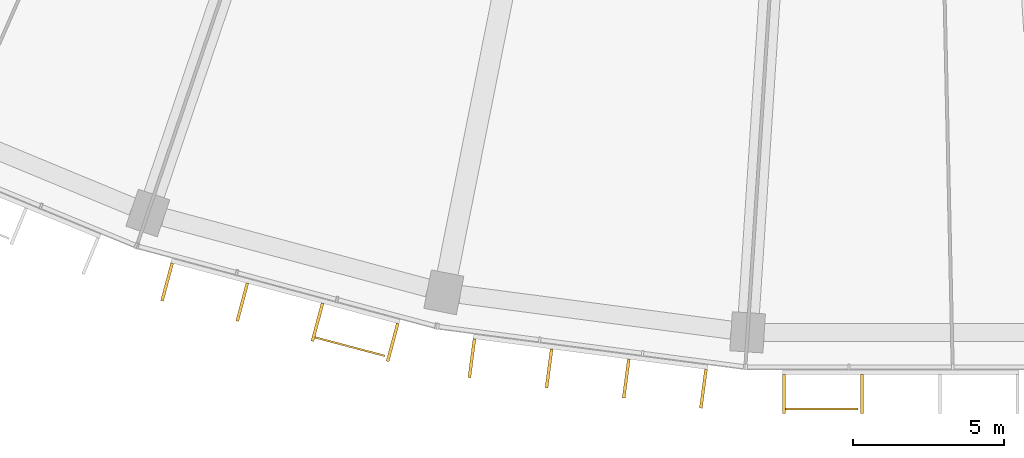
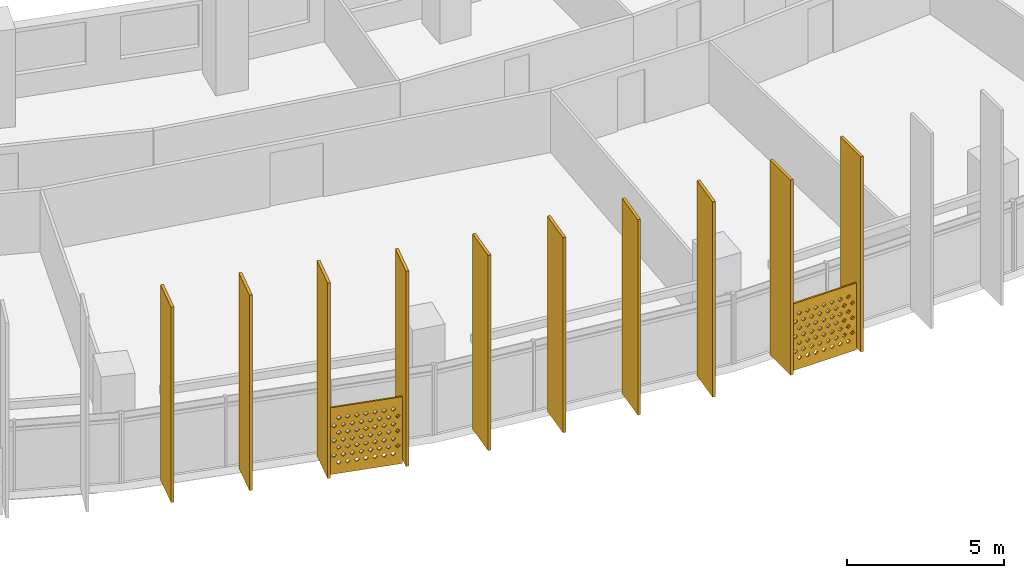
# One storey, part 23 of 27: 12 shading devices.
"""IFC4 building model written with IfcOpenShell, lengths in metres."""

import ifcopenshell
import ifcopenshell.guid

model = None  # the IFC model being written
_history = None  # IfcOwnerHistory: only IFC2X3 demands one
_inside = {}  # id of a spatial element -> (the spatial element, [elements in it])
_under = {}  # id of a project, library or spatial element -> (it, [spatial elements below it])
_declared = {}  # id of a project -> (the project, [libraries it declares])
_typed = {}  # id of a type object -> (the type object, [elements of that type])
_made_of = {}  # id of a material, layer set ... -> (it, [elements and type objects made of it])


def new_model(schema):
    """Start an empty IFC model of exactly this schema.

    Asked for "IFC4X3", IfcOpenShell would pick the latest addendum, in which some entities
    have other attributes; the version numbers below select the first issue.
    IFC2X3 requires an IfcOwnerHistory on every rooted entity: one is made here for all.
    """
    global model, _history
    if schema == "IFC4X3":
        model = ifcopenshell.file(schema_version=(4, 3, 0, 0))
    else:
        model = ifcopenshell.file(schema=schema)
    _inside.clear()
    _under.clear()
    _declared.clear()
    _typed.clear()
    _made_of.clear()
    _history = None
    if model.schema == "IFC2X3":
        org = make("IfcOrganization", Name="unknown")
        user = make(
            "IfcPersonAndOrganization",
            ThePerson=make("IfcPerson", FamilyName="unknown"),
            TheOrganization=org,
        )
        app = make(
            "IfcApplication",
            ApplicationDeveloper=org,
            Version="unknown",
            ApplicationFullName="unknown",
            ApplicationIdentifier="unknown",
        )
        _history = make(
            "IfcOwnerHistory",
            OwningUser=user,
            OwningApplication=app,
            ChangeAction="ADDED",
            CreationDate=0,
        )
    return model


def make(cls, **values):
    """One entity of the class cls with the attributes given. An attribute that is None is left unset."""
    return model.create_entity(
        cls, **{name: value for name, value in values.items() if value is not None}
    )


def rooted(cls, **values):
    """An entity with a GlobalId (a new one), such as an element, a storey or a relation."""
    return make(cls, GlobalId=ifcopenshell.guid.new(), OwnerHistory=_history, **values)


def si_unit(unit_type, name, prefix=None):
    """IfcSIUnit, for example si_unit("LENGTHUNIT", "METRE", prefix="MILLI")."""
    return make("IfcSIUnit", UnitType=unit_type, Prefix=prefix, Name=name)


def assignment(units):
    """IfcUnitAssignment: the units of a project."""
    return None if units is None else make("IfcUnitAssignment", Units=units)


def point(xyz):
    """IfcCartesianPoint."""
    return None if xyz is None else make("IfcCartesianPoint", Coordinates=xyz)


def direction(xyz):
    """IfcDirection."""
    return None if xyz is None else make("IfcDirection", DirectionRatios=xyz)


def frame(location, z_axis=None, x_axis=None):
    """IfcAxis2Placement3D, a coordinate frame: its origin and axes. An axis left out is left unset."""
    return make(
        "IfcAxis2Placement3D",
        Location=point(location),
        Axis=direction(z_axis),
        RefDirection=direction(x_axis),
    )


def frame_2d(location, x_axis=None):
    """IfcAxis2Placement2D, a coordinate frame in the plane: its origin and x axis."""
    return make(
        "IfcAxis2Placement2D", Location=point(location), RefDirection=direction(x_axis)
    )


def origin():
    """The frame at (0, 0, 0) with its axes left unset."""
    return frame((0.0, 0.0, 0.0))


def origin_2d():
    """The frame at (0, 0) in the plane with its x axis left unset."""
    return frame_2d((0.0, 0.0))


def place(relative_to, where):
    """IfcLocalPlacement: puts the frame where relative to a parent placement (None: the world)."""
    return make(
        "IfcLocalPlacement", PlacementRelTo=relative_to, RelativePlacement=where
    )


def context(
    kind, dimensions, precision=None, world=None, true_north=None, identifier=None
):
    """IfcGeometricRepresentationContext, for example the 3D "Model" context."""
    return make(
        "IfcGeometricRepresentationContext",
        ContextIdentifier=identifier,
        ContextType=kind,
        CoordinateSpaceDimension=dimensions,
        Precision=precision,
        WorldCoordinateSystem=world,
        TrueNorth=true_north,
    )


def subcontext(parent, identifier, kind, view, scale=None):
    """IfcGeometricRepresentationSubContext, for example "Body" below "Model"."""
    return make(
        "IfcGeometricRepresentationSubContext",
        ContextIdentifier=identifier,
        ContextType=kind,
        ParentContext=parent,
        TargetScale=scale,
        TargetView=view,
    )


def project(units=None, contexts=None):
    """IfcProject with its units and contexts."""
    return rooted(
        "IfcProject",
        Name="project",
        RepresentationContexts=contexts,
        UnitsInContext=assignment(units),
    )


def spatial(cls, under=None, at=None, **own):
    """A site, building, storey or space (cls), placed at a placement, below another one or the project."""
    s = rooted(cls, ObjectPlacement=at, **own)
    if under is not None:
        _under.setdefault(under.id(), (under, []))[1].append(s)
    return s


def polyline(points):
    """IfcPolyline through the points."""
    return make("IfcPolyline", Points=[point(p) for p in points])


def profile(cls, at=None, kind="AREA", **sizes):
    """A parametric profile (cls). Its sizes go by their IFC names, for example OverallWidth=200.0."""
    return make(cls, ProfileType=kind, Position=at, **sizes)


def rectangle(**sizes):
    """IfcRectangleProfileDef."""
    return profile("IfcRectangleProfileDef", **sizes)


def outline(outer, holes=None, kind="AREA"):
    """IfcArbitraryClosedProfileDef: a profile drawn as a closed curve; with holes, ...WithVoids."""
    if holes is None:
        return make("IfcArbitraryClosedProfileDef", ProfileType=kind, OuterCurve=outer)
    return make(
        "IfcArbitraryProfileDefWithVoids",
        ProfileType=kind,
        OuterCurve=outer,
        InnerCurves=holes,
    )


def extrude(swept, where, along, depth):
    """IfcExtrudedAreaSolid: the profile swept, set in the frame where, extruded along a direction by depth."""
    return make(
        "IfcExtrudedAreaSolid",
        SweptArea=swept,
        Position=where,
        ExtrudedDirection=direction(along),
        Depth=depth,
    )


def shape(context_of_items, identifier, shape_type, items):
    """IfcShapeRepresentation: the items that make up one representation, for example the "Body"."""
    return make(
        "IfcShapeRepresentation",
        ContextOfItems=context_of_items,
        RepresentationIdentifier=identifier,
        RepresentationType=shape_type,
        Items=items,
    )


def material(Name=None, Category=None):
    """IfcMaterial."""
    return make("IfcMaterial", Name=Name, Category=Category)


def material_profile(
    of_material, cross_section, Name=None, Category=None, Priority=None
):
    """IfcMaterialProfile: a cross section and its material."""
    return make(
        "IfcMaterialProfile",
        Name=Name,
        Material=of_material,
        Profile=cross_section,
        Priority=Priority,
        Category=Category,
    )


def profile_set(profiles, Name=None, composite=None):
    """IfcMaterialProfileSet."""
    return make(
        "IfcMaterialProfileSet",
        Name=Name,
        MaterialProfiles=profiles,
        CompositeProfile=composite,
    )


def made_of(thing, what):
    """Note that an element or type object is made of a material, layer set ...; save() writes the relation."""
    if what is not None:
        _made_of.setdefault(what.id(), (what, []))[1].append(thing)
    return thing


def type_object(cls, material=None, **own):
    """A type object (cls), such as IfcWallType, which elements share."""
    return made_of(rooted(cls, **own), material)


def element(
    cls,
    number,
    at=None,
    inside=None,
    cuts=None,
    type_object=None,
    material=None,
    context=None,
    identifier="Body",
    shape_type=None,
    held_by="IfcProductDefinitionShape",
    body=None,
    shapes=None,
    **own,
):
    """One element of the class cls, such as IfcWall. Its Tag is "e" and its number.

    at: its placement. inside: the storey or other place that contains it. cuts: it is an
    opening in that element (IfcRelVoidsElement). A single representation is given by context,
    identifier, shape_type and body (its items); several are given by shapes. held_by: the class
    of the entity that holds the representations. save() writes the other relations.
    """
    e = rooted(cls, Tag="e%d" % number, ObjectPlacement=at, **own)
    if body is not None:
        shapes = [shape(context, identifier, shape_type, body)]
    if shapes is not None:
        e.Representation = make(held_by, Representations=shapes)
    if inside is not None:
        _inside.setdefault(inside.id(), (inside, []))[1].append(e)
    if cuts is not None:
        rooted(
            "IfcRelVoidsElement", RelatingBuildingElement=cuts, RelatedOpeningElement=e
        )
    if type_object is not None:
        _typed.setdefault(type_object.id(), (type_object, []))[1].append(e)
    return made_of(e, material)


def aggregate(whole, parts):
    """IfcRelAggregates: a whole, such as a stair, and the parts it consists of."""
    return rooted("IfcRelAggregates", RelatingObject=whole, RelatedObjects=parts)


def save(model, path):
    """Write the relations noted so far, then the file.

    IfcRelAggregates (storeys below a building ...), IfcRelContainedInSpatialStructure (elements
    in a storey), IfcRelDefinesByType, IfcRelAssociatesMaterial and IfcRelDeclares: one each for
    every whole, place, type object, material and project.
    """
    for whole, parts in _under.values():
        aggregate(whole, parts)
    for where, things in _inside.values():
        rooted(
            "IfcRelContainedInSpatialStructure",
            RelatedElements=things,
            RelatingStructure=where,
        )
    for kind, things in _typed.values():
        rooted("IfcRelDefinesByType", RelatedObjects=things, RelatingType=kind)
    for what, things in _made_of.values():
        rooted("IfcRelAssociatesMaterial", RelatedObjects=things, RelatingMaterial=what)
    for by, libraries in _declared.values():
        rooted("IfcRelDeclares", RelatingContext=by, RelatedDefinitions=libraries)
    model.write(path)


model = new_model("IFC4")

# Units and contexts
model_context = context("Model", 3, precision=1e-05, world=origin(), true_north=direction((0.0, 1.0)))
body_context = subcontext(model_context, "Body", "Model", "MODEL_VIEW")
ifc_project = project(units=[si_unit("LENGTHUNIT", "METRE"), si_unit("AREAUNIT", "SQUARE_METRE"), si_unit("VOLUMEUNIT", "CUBIC_METRE"), si_unit("PLANEANGLEUNIT", "RADIAN"), si_unit("MASSUNIT", "GRAM", prefix="KILO")], contexts=[model_context])

# Site, building, storey
site_placement = place(None, origin())
site = spatial("IfcSite", under=ifc_project, at=site_placement, CompositionType="ELEMENT")
building_placement = place(site_placement, origin())
building = spatial("IfcBuilding", under=site, at=building_placement, Name="Qamariyya Broadcast Tower", CompositionType="ELEMENT")
storey_placement = place(building_placement, frame((0.0, 0.0, 172.10009765625)))
storey = spatial("IfcBuildingStorey", under=building, at=storey_placement, Name="L40", CompositionType="ELEMENT", Elevation=172.10009765625)

# Shading devices
ifc_material_1 = material(Name="Perforated glazed terracotta", Category="masonry")
ifc_material_profile_1 = material_profile(ifc_material_1, outline(polyline([(-1.199951171875, -1.300048828125), (1.199951171875, -1.300048828125), (1.199951171875, 1.300048828125), (-1.199951171875, 1.300048828125), (-1.199951171875, -1.300048828125)]), holes=[polyline([(-0.81494140625, -0.86669921875), (-0.89990234375, -0.78173828125), (-0.985107421875, -0.86669921875), (-0.89990234375, -0.95166015625), (-0.81494140625, -0.86669921875)]), polyline([(-0.514892578125, -0.86669921875), (-0.60009765625, -0.78173828125), (-0.68505859375, -0.86669921875), (-0.60009765625, -0.95166015625), (-0.514892578125, -0.86669921875)]), polyline([(-0.215087890625, -0.86669921875), (-0.300048828125, -0.78173828125), (-0.385009765625, -0.86669921875), (-0.300048828125, -0.95166015625), (-0.215087890625, -0.86669921875)]), polyline([(0.0849609375, -0.86669921875), (0.0, -0.78173828125), (-0.0849609375, -0.86669921875), (0.0, -0.95166015625), (0.0849609375, -0.86669921875)]), polyline([(0.385009765625, -0.86669921875), (0.300048828125, -0.78173828125), (0.215087890625, -0.86669921875), (0.300048828125, -0.95166015625), (0.385009765625, -0.86669921875)]), polyline([(0.68505859375, -0.86669921875), (0.60009765625, -0.78173828125), (0.514892578125, -0.86669921875), (0.60009765625, -0.95166015625), (0.68505859375, -0.86669921875)]), polyline([(0.985107421875, -0.86669921875), (0.89990234375, -0.78173828125), (0.81494140625, -0.86669921875), (0.89990234375, -0.95166015625), (0.985107421875, -0.86669921875)]), polyline([(-0.965087890625, -0.577880859375), (-1.050048828125, -0.49267578125), (-1.135009765625, -0.577880859375), (-1.050048828125, -0.662841796875), (-0.965087890625, -0.577880859375)]), polyline([(-0.6650390625, -0.577880859375), (-0.75, -0.49267578125), (-0.8349609375, -0.577880859375), (-0.75, -0.662841796875), (-0.6650390625, -0.577880859375)]), polyline([(-0.364990234375, -0.577880859375), (-0.449951171875, -0.49267578125), (-0.534912109375, -0.577880859375), (-0.449951171875, -0.662841796875), (-0.364990234375, -0.577880859375)]), polyline([(-0.06494140625, -0.577880859375), (-0.14990234375, -0.49267578125), (-0.235107421875, -0.577880859375), (-0.14990234375, -0.662841796875), (-0.06494140625, -0.577880859375)]), polyline([(0.235107421875, -0.577880859375), (0.14990234375, -0.49267578125), (0.06494140625, -0.577880859375), (0.14990234375, -0.662841796875), (0.235107421875, -0.577880859375)]), polyline([(0.534912109375, -0.577880859375), (0.449951171875, -0.49267578125), (0.364990234375, -0.577880859375), (0.449951171875, -0.662841796875), (0.534912109375, -0.577880859375)]), polyline([(0.8349609375, -0.577880859375), (0.75, -0.49267578125), (0.6650390625, -0.577880859375), (0.75, -0.662841796875), (0.8349609375, -0.577880859375)]), polyline([(1.135009765625, -0.577880859375), (1.050048828125, -0.49267578125), (0.965087890625, -0.577880859375), (1.050048828125, -0.662841796875), (1.135009765625, -0.577880859375)]), polyline([(-0.81494140625, -0.288818359375), (-0.89990234375, -0.203857421875), (-0.985107421875, -0.288818359375), (-0.89990234375, -0.373779296875), (-0.81494140625, -0.288818359375)]), polyline([(-0.514892578125, -0.288818359375), (-0.60009765625, -0.203857421875), (-0.68505859375, -0.288818359375), (-0.60009765625, -0.373779296875), (-0.514892578125, -0.288818359375)]), polyline([(-0.215087890625, -0.288818359375), (-0.300048828125, -0.203857421875), (-0.385009765625, -0.288818359375), (-0.300048828125, -0.373779296875), (-0.215087890625, -0.288818359375)]), polyline([(0.0849609375, -0.288818359375), (0.0, -0.203857421875), (-0.0849609375, -0.288818359375), (0.0, -0.373779296875), (0.0849609375, -0.288818359375)]), polyline([(0.385009765625, -0.288818359375), (0.300048828125, -0.203857421875), (0.215087890625, -0.288818359375), (0.300048828125, -0.373779296875), (0.385009765625, -0.288818359375)]), polyline([(0.68505859375, -0.288818359375), (0.60009765625, -0.203857421875), (0.514892578125, -0.288818359375), (0.60009765625, -0.373779296875), (0.68505859375, -0.288818359375)]), polyline([(0.985107421875, -0.288818359375), (0.89990234375, -0.203857421875), (0.81494140625, -0.288818359375), (0.89990234375, -0.373779296875), (0.985107421875, -0.288818359375)]), polyline([(-0.965087890625, 0.0), (-1.050048828125, 0.0849609375), (-1.135009765625, 0.0), (-1.050048828125, -0.0849609375), (-0.965087890625, 0.0)]), polyline([(-0.6650390625, 0.0), (-0.75, 0.0849609375), (-0.8349609375, 0.0), (-0.75, -0.0849609375), (-0.6650390625, 0.0)]), polyline([(-0.364990234375, 0.0), (-0.449951171875, 0.0849609375), (-0.534912109375, 0.0), (-0.449951171875, -0.0849609375), (-0.364990234375, 0.0)]), polyline([(-0.06494140625, 0.0), (-0.14990234375, 0.0849609375), (-0.235107421875, 0.0), (-0.14990234375, -0.0849609375), (-0.06494140625, 0.0)]), polyline([(0.235107421875, 0.0), (0.14990234375, 0.0849609375), (0.06494140625, 0.0), (0.14990234375, -0.0849609375), (0.235107421875, 0.0)]), polyline([(0.534912109375, 0.0), (0.449951171875, 0.0849609375), (0.364990234375, 0.0), (0.449951171875, -0.0849609375), (0.534912109375, 0.0)]), polyline([(0.8349609375, 0.0), (0.75, 0.0849609375), (0.6650390625, 0.0), (0.75, -0.0849609375), (0.8349609375, 0.0)]), polyline([(1.135009765625, 0.0), (1.050048828125, 0.0849609375), (0.965087890625, 0.0), (1.050048828125, -0.0849609375), (1.135009765625, 0.0)]), polyline([(-0.81494140625, 0.288818359375), (-0.89990234375, 0.373779296875), (-0.985107421875, 0.288818359375), (-0.89990234375, 0.203857421875), (-0.81494140625, 0.288818359375)]), polyline([(-0.514892578125, 0.288818359375), (-0.60009765625, 0.373779296875), (-0.68505859375, 0.288818359375), (-0.60009765625, 0.203857421875), (-0.514892578125, 0.288818359375)]), polyline([(-0.215087890625, 0.288818359375), (-0.300048828125, 0.373779296875), (-0.385009765625, 0.288818359375), (-0.300048828125, 0.203857421875), (-0.215087890625, 0.288818359375)]), polyline([(0.0849609375, 0.288818359375), (0.0, 0.373779296875), (-0.0849609375, 0.288818359375), (0.0, 0.203857421875), (0.0849609375, 0.288818359375)]), polyline([(0.385009765625, 0.288818359375), (0.300048828125, 0.373779296875), (0.215087890625, 0.288818359375), (0.300048828125, 0.203857421875), (0.385009765625, 0.288818359375)]), polyline([(0.68505859375, 0.288818359375), (0.60009765625, 0.373779296875), (0.514892578125, 0.288818359375), (0.60009765625, 0.203857421875), (0.68505859375, 0.288818359375)]), polyline([(0.985107421875, 0.288818359375), (0.89990234375, 0.373779296875), (0.81494140625, 0.288818359375), (0.89990234375, 0.203857421875), (0.985107421875, 0.288818359375)]), polyline([(-0.965087890625, 0.577880859375), (-1.050048828125, 0.662841796875), (-1.135009765625, 0.577880859375), (-1.050048828125, 0.49267578125), (-0.965087890625, 0.577880859375)]), polyline([(-0.6650390625, 0.577880859375), (-0.75, 0.662841796875), (-0.8349609375, 0.577880859375), (-0.75, 0.49267578125), (-0.6650390625, 0.577880859375)]), polyline([(-0.364990234375, 0.577880859375), (-0.449951171875, 0.662841796875), (-0.534912109375, 0.577880859375), (-0.449951171875, 0.49267578125), (-0.364990234375, 0.577880859375)]), polyline([(-0.06494140625, 0.577880859375), (-0.14990234375, 0.662841796875), (-0.235107421875, 0.577880859375), (-0.14990234375, 0.49267578125), (-0.06494140625, 0.577880859375)]), polyline([(0.235107421875, 0.577880859375), (0.14990234375, 0.662841796875), (0.06494140625, 0.577880859375), (0.14990234375, 0.49267578125), (0.235107421875, 0.577880859375)]), polyline([(0.534912109375, 0.577880859375), (0.449951171875, 0.662841796875), (0.364990234375, 0.577880859375), (0.449951171875, 0.49267578125), (0.534912109375, 0.577880859375)]), polyline([(0.8349609375, 0.577880859375), (0.75, 0.662841796875), (0.6650390625, 0.577880859375), (0.75, 0.49267578125), (0.8349609375, 0.577880859375)]), polyline([(1.135009765625, 0.577880859375), (1.050048828125, 0.662841796875), (0.965087890625, 0.577880859375), (1.050048828125, 0.49267578125), (1.135009765625, 0.577880859375)]), polyline([(-0.81494140625, 0.86669921875), (-0.89990234375, 0.95166015625), (-0.985107421875, 0.86669921875), (-0.89990234375, 0.78173828125), (-0.81494140625, 0.86669921875)]), polyline([(-0.514892578125, 0.86669921875), (-0.60009765625, 0.95166015625), (-0.68505859375, 0.86669921875), (-0.60009765625, 0.78173828125), (-0.514892578125, 0.86669921875)]), polyline([(-0.215087890625, 0.86669921875), (-0.300048828125, 0.95166015625), (-0.385009765625, 0.86669921875), (-0.300048828125, 0.78173828125), (-0.215087890625, 0.86669921875)]), polyline([(0.0849609375, 0.86669921875), (0.0, 0.95166015625), (-0.0849609375, 0.86669921875), (0.0, 0.78173828125), (0.0849609375, 0.86669921875)]), polyline([(0.385009765625, 0.86669921875), (0.300048828125, 0.95166015625), (0.215087890625, 0.86669921875), (0.300048828125, 0.78173828125), (0.385009765625, 0.86669921875)]), polyline([(0.68505859375, 0.86669921875), (0.60009765625, 0.95166015625), (0.514892578125, 0.86669921875), (0.60009765625, 0.78173828125), (0.68505859375, 0.86669921875)]), polyline([(0.985107421875, 0.86669921875), (0.89990234375, 0.95166015625), (0.81494140625, 0.86669921875), (0.89990234375, 0.78173828125), (0.985107421875, 0.86669921875)])]))
ifc_profile_set_1 = profile_set([ifc_material_profile_1], Name="Perforated glazed terracotta")
shading_device_type_1 = type_object("IfcShadingDeviceType", Name="Perforated terracotta screen 2400 x 2600", PredefinedType="USERDEFINED", material=ifc_profile_set_1)
shading_device_1_placement = place(storey_placement, frame((-18.276611328125, -78.029296875, 1.349853515625), z_axis=(-0.255892560316, -0.966705227862, 0.0), x_axis=(0.966705227862, -0.255892560316, 0.0)))
element("IfcShadingDevice", 1, at=shading_device_1_placement, inside=storey, type_object=shading_device_type_1, Name="e-scr-L40-05-2", ObjectType="SCREEN", PredefinedType="USERDEFINED", context=body_context, shape_type="SweptSolid", body=[
    extrude(outline(polyline([(-1.199951171875, -1.300048828125), (1.199951171875, -1.300048828125), (1.199951171875, 1.300048828125), (-1.199951171875, 1.300048828125), (-1.199951171875, -1.300048828125)]), holes=[polyline([(-0.81494140625, -0.86669921875), (-0.89990234375, -0.78173828125), (-0.985107421875, -0.86669921875), (-0.89990234375, -0.95166015625), (-0.81494140625, -0.86669921875)]), polyline([(-0.514892578125, -0.86669921875), (-0.60009765625, -0.78173828125), (-0.68505859375, -0.86669921875), (-0.60009765625, -0.95166015625), (-0.514892578125, -0.86669921875)]), polyline([(-0.215087890625, -0.86669921875), (-0.300048828125, -0.78173828125), (-0.385009765625, -0.86669921875), (-0.300048828125, -0.95166015625), (-0.215087890625, -0.86669921875)]), polyline([(0.0849609375, -0.86669921875), (0.0, -0.78173828125), (-0.0849609375, -0.86669921875), (0.0, -0.95166015625), (0.0849609375, -0.86669921875)]), polyline([(0.385009765625, -0.86669921875), (0.300048828125, -0.78173828125), (0.215087890625, -0.86669921875), (0.300048828125, -0.95166015625), (0.385009765625, -0.86669921875)]), polyline([(0.68505859375, -0.86669921875), (0.60009765625, -0.78173828125), (0.514892578125, -0.86669921875), (0.60009765625, -0.95166015625), (0.68505859375, -0.86669921875)]), polyline([(0.985107421875, -0.86669921875), (0.89990234375, -0.78173828125), (0.81494140625, -0.86669921875), (0.89990234375, -0.95166015625), (0.985107421875, -0.86669921875)]), polyline([(-0.965087890625, -0.577880859375), (-1.050048828125, -0.49267578125), (-1.135009765625, -0.577880859375), (-1.050048828125, -0.662841796875), (-0.965087890625, -0.577880859375)]), polyline([(-0.6650390625, -0.577880859375), (-0.75, -0.49267578125), (-0.8349609375, -0.577880859375), (-0.75, -0.662841796875), (-0.6650390625, -0.577880859375)]), polyline([(-0.364990234375, -0.577880859375), (-0.449951171875, -0.49267578125), (-0.534912109375, -0.577880859375), (-0.449951171875, -0.662841796875), (-0.364990234375, -0.577880859375)]), polyline([(-0.06494140625, -0.577880859375), (-0.14990234375, -0.49267578125), (-0.235107421875, -0.577880859375), (-0.14990234375, -0.662841796875), (-0.06494140625, -0.577880859375)]), polyline([(0.235107421875, -0.577880859375), (0.14990234375, -0.49267578125), (0.06494140625, -0.577880859375), (0.14990234375, -0.662841796875), (0.235107421875, -0.577880859375)]), polyline([(0.534912109375, -0.577880859375), (0.449951171875, -0.49267578125), (0.364990234375, -0.577880859375), (0.449951171875, -0.662841796875), (0.534912109375, -0.577880859375)]), polyline([(0.8349609375, -0.577880859375), (0.75, -0.49267578125), (0.6650390625, -0.577880859375), (0.75, -0.662841796875), (0.8349609375, -0.577880859375)]), polyline([(1.135009765625, -0.577880859375), (1.050048828125, -0.49267578125), (0.965087890625, -0.577880859375), (1.050048828125, -0.662841796875), (1.135009765625, -0.577880859375)]), polyline([(-0.81494140625, -0.288818359375), (-0.89990234375, -0.203857421875), (-0.985107421875, -0.288818359375), (-0.89990234375, -0.373779296875), (-0.81494140625, -0.288818359375)]), polyline([(-0.514892578125, -0.288818359375), (-0.60009765625, -0.203857421875), (-0.68505859375, -0.288818359375), (-0.60009765625, -0.373779296875), (-0.514892578125, -0.288818359375)]), polyline([(-0.215087890625, -0.288818359375), (-0.300048828125, -0.203857421875), (-0.385009765625, -0.288818359375), (-0.300048828125, -0.373779296875), (-0.215087890625, -0.288818359375)]), polyline([(0.0849609375, -0.288818359375), (0.0, -0.203857421875), (-0.0849609375, -0.288818359375), (0.0, -0.373779296875), (0.0849609375, -0.288818359375)]), polyline([(0.385009765625, -0.288818359375), (0.300048828125, -0.203857421875), (0.215087890625, -0.288818359375), (0.300048828125, -0.373779296875), (0.385009765625, -0.288818359375)]), polyline([(0.68505859375, -0.288818359375), (0.60009765625, -0.203857421875), (0.514892578125, -0.288818359375), (0.60009765625, -0.373779296875), (0.68505859375, -0.288818359375)]), polyline([(0.985107421875, -0.288818359375), (0.89990234375, -0.203857421875), (0.81494140625, -0.288818359375), (0.89990234375, -0.373779296875), (0.985107421875, -0.288818359375)]), polyline([(-0.965087890625, 0.0), (-1.050048828125, 0.0849609375), (-1.135009765625, 0.0), (-1.050048828125, -0.0849609375), (-0.965087890625, 0.0)]), polyline([(-0.6650390625, 0.0), (-0.75, 0.0849609375), (-0.8349609375, 0.0), (-0.75, -0.0849609375), (-0.6650390625, 0.0)]), polyline([(-0.364990234375, 0.0), (-0.449951171875, 0.0849609375), (-0.534912109375, 0.0), (-0.449951171875, -0.0849609375), (-0.364990234375, 0.0)]), polyline([(-0.06494140625, 0.0), (-0.14990234375, 0.0849609375), (-0.235107421875, 0.0), (-0.14990234375, -0.0849609375), (-0.06494140625, 0.0)]), polyline([(0.235107421875, 0.0), (0.14990234375, 0.0849609375), (0.06494140625, 0.0), (0.14990234375, -0.0849609375), (0.235107421875, 0.0)]), polyline([(0.534912109375, 0.0), (0.449951171875, 0.0849609375), (0.364990234375, 0.0), (0.449951171875, -0.0849609375), (0.534912109375, 0.0)]), polyline([(0.8349609375, 0.0), (0.75, 0.0849609375), (0.6650390625, 0.0), (0.75, -0.0849609375), (0.8349609375, 0.0)]), polyline([(1.135009765625, 0.0), (1.050048828125, 0.0849609375), (0.965087890625, 0.0), (1.050048828125, -0.0849609375), (1.135009765625, 0.0)]), polyline([(-0.81494140625, 0.288818359375), (-0.89990234375, 0.373779296875), (-0.985107421875, 0.288818359375), (-0.89990234375, 0.203857421875), (-0.81494140625, 0.288818359375)]), polyline([(-0.514892578125, 0.288818359375), (-0.60009765625, 0.373779296875), (-0.68505859375, 0.288818359375), (-0.60009765625, 0.203857421875), (-0.514892578125, 0.288818359375)]), polyline([(-0.215087890625, 0.288818359375), (-0.300048828125, 0.373779296875), (-0.385009765625, 0.288818359375), (-0.300048828125, 0.203857421875), (-0.215087890625, 0.288818359375)]), polyline([(0.0849609375, 0.288818359375), (0.0, 0.373779296875), (-0.0849609375, 0.288818359375), (0.0, 0.203857421875), (0.0849609375, 0.288818359375)]), polyline([(0.385009765625, 0.288818359375), (0.300048828125, 0.373779296875), (0.215087890625, 0.288818359375), (0.300048828125, 0.203857421875), (0.385009765625, 0.288818359375)]), polyline([(0.68505859375, 0.288818359375), (0.60009765625, 0.373779296875), (0.514892578125, 0.288818359375), (0.60009765625, 0.203857421875), (0.68505859375, 0.288818359375)]), polyline([(0.985107421875, 0.288818359375), (0.89990234375, 0.373779296875), (0.81494140625, 0.288818359375), (0.89990234375, 0.203857421875), (0.985107421875, 0.288818359375)]), polyline([(-0.965087890625, 0.577880859375), (-1.050048828125, 0.662841796875), (-1.135009765625, 0.577880859375), (-1.050048828125, 0.49267578125), (-0.965087890625, 0.577880859375)]), polyline([(-0.6650390625, 0.577880859375), (-0.75, 0.662841796875), (-0.8349609375, 0.577880859375), (-0.75, 0.49267578125), (-0.6650390625, 0.577880859375)]), polyline([(-0.364990234375, 0.577880859375), (-0.449951171875, 0.662841796875), (-0.534912109375, 0.577880859375), (-0.449951171875, 0.49267578125), (-0.364990234375, 0.577880859375)]), polyline([(-0.06494140625, 0.577880859375), (-0.14990234375, 0.662841796875), (-0.235107421875, 0.577880859375), (-0.14990234375, 0.49267578125), (-0.06494140625, 0.577880859375)]), polyline([(0.235107421875, 0.577880859375), (0.14990234375, 0.662841796875), (0.06494140625, 0.577880859375), (0.14990234375, 0.49267578125), (0.235107421875, 0.577880859375)]), polyline([(0.534912109375, 0.577880859375), (0.449951171875, 0.662841796875), (0.364990234375, 0.577880859375), (0.449951171875, 0.49267578125), (0.534912109375, 0.577880859375)]), polyline([(0.8349609375, 0.577880859375), (0.75, 0.662841796875), (0.6650390625, 0.577880859375), (0.75, 0.49267578125), (0.8349609375, 0.577880859375)]), polyline([(1.135009765625, 0.577880859375), (1.050048828125, 0.662841796875), (0.965087890625, 0.577880859375), (1.050048828125, 0.49267578125), (1.135009765625, 0.577880859375)]), polyline([(-0.81494140625, 0.86669921875), (-0.89990234375, 0.95166015625), (-0.985107421875, 0.86669921875), (-0.89990234375, 0.78173828125), (-0.81494140625, 0.86669921875)]), polyline([(-0.514892578125, 0.86669921875), (-0.60009765625, 0.95166015625), (-0.68505859375, 0.86669921875), (-0.60009765625, 0.78173828125), (-0.514892578125, 0.86669921875)]), polyline([(-0.215087890625, 0.86669921875), (-0.300048828125, 0.95166015625), (-0.385009765625, 0.86669921875), (-0.300048828125, 0.78173828125), (-0.215087890625, 0.86669921875)]), polyline([(0.0849609375, 0.86669921875), (0.0, 0.95166015625), (-0.0849609375, 0.86669921875), (0.0, 0.78173828125), (0.0849609375, 0.86669921875)]), polyline([(0.385009765625, 0.86669921875), (0.300048828125, 0.95166015625), (0.215087890625, 0.86669921875), (0.300048828125, 0.78173828125), (0.385009765625, 0.86669921875)]), polyline([(0.68505859375, 0.86669921875), (0.60009765625, 0.95166015625), (0.514892578125, 0.86669921875), (0.60009765625, 0.78173828125), (0.68505859375, 0.86669921875)]), polyline([(0.985107421875, 0.86669921875), (0.89990234375, 0.95166015625), (0.81494140625, 0.86669921875), (0.89990234375, 0.78173828125), (0.985107421875, 0.86669921875)])]), origin(), (0.0, 0.0, 1.0), 0.06005859375),
])
shading_device_2_placement = place(storey_placement, frame((-2.625244140625, -80.100830078125, 1.349853515625), z_axis=(0.0, -1.0, 0.0), x_axis=(1.0, 0.0, 0.0)))
element("IfcShadingDevice", 2, at=shading_device_2_placement, inside=storey, type_object=shading_device_type_1, Name="e-scr-L40-07-0", ObjectType="SCREEN", PredefinedType="USERDEFINED", context=body_context, shape_type="SweptSolid", body=[
    extrude(outline(polyline([(-1.199951171875, -1.300048828125), (1.199951171875, -1.300048828125), (1.199951171875, 1.300048828125), (-1.199951171875, 1.300048828125), (-1.199951171875, -1.300048828125)]), holes=[polyline([(-0.81494140625, -0.86669921875), (-0.89990234375, -0.78173828125), (-0.985107421875, -0.86669921875), (-0.89990234375, -0.95166015625), (-0.81494140625, -0.86669921875)]), polyline([(-0.514892578125, -0.86669921875), (-0.60009765625, -0.78173828125), (-0.68505859375, -0.86669921875), (-0.60009765625, -0.95166015625), (-0.514892578125, -0.86669921875)]), polyline([(-0.215087890625, -0.86669921875), (-0.300048828125, -0.78173828125), (-0.385009765625, -0.86669921875), (-0.300048828125, -0.95166015625), (-0.215087890625, -0.86669921875)]), polyline([(0.0849609375, -0.86669921875), (0.0, -0.78173828125), (-0.0849609375, -0.86669921875), (0.0, -0.95166015625), (0.0849609375, -0.86669921875)]), polyline([(0.385009765625, -0.86669921875), (0.300048828125, -0.78173828125), (0.215087890625, -0.86669921875), (0.300048828125, -0.95166015625), (0.385009765625, -0.86669921875)]), polyline([(0.68505859375, -0.86669921875), (0.60009765625, -0.78173828125), (0.514892578125, -0.86669921875), (0.60009765625, -0.95166015625), (0.68505859375, -0.86669921875)]), polyline([(0.985107421875, -0.86669921875), (0.89990234375, -0.78173828125), (0.81494140625, -0.86669921875), (0.89990234375, -0.95166015625), (0.985107421875, -0.86669921875)]), polyline([(-0.965087890625, -0.577880859375), (-1.050048828125, -0.49267578125), (-1.135009765625, -0.577880859375), (-1.050048828125, -0.662841796875), (-0.965087890625, -0.577880859375)]), polyline([(-0.6650390625, -0.577880859375), (-0.75, -0.49267578125), (-0.8349609375, -0.577880859375), (-0.75, -0.662841796875), (-0.6650390625, -0.577880859375)]), polyline([(-0.364990234375, -0.577880859375), (-0.449951171875, -0.49267578125), (-0.534912109375, -0.577880859375), (-0.449951171875, -0.662841796875), (-0.364990234375, -0.577880859375)]), polyline([(-0.06494140625, -0.577880859375), (-0.14990234375, -0.49267578125), (-0.235107421875, -0.577880859375), (-0.14990234375, -0.662841796875), (-0.06494140625, -0.577880859375)]), polyline([(0.235107421875, -0.577880859375), (0.14990234375, -0.49267578125), (0.06494140625, -0.577880859375), (0.14990234375, -0.662841796875), (0.235107421875, -0.577880859375)]), polyline([(0.534912109375, -0.577880859375), (0.449951171875, -0.49267578125), (0.364990234375, -0.577880859375), (0.449951171875, -0.662841796875), (0.534912109375, -0.577880859375)]), polyline([(0.8349609375, -0.577880859375), (0.75, -0.49267578125), (0.6650390625, -0.577880859375), (0.75, -0.662841796875), (0.8349609375, -0.577880859375)]), polyline([(1.135009765625, -0.577880859375), (1.050048828125, -0.49267578125), (0.965087890625, -0.577880859375), (1.050048828125, -0.662841796875), (1.135009765625, -0.577880859375)]), polyline([(-0.81494140625, -0.288818359375), (-0.89990234375, -0.203857421875), (-0.985107421875, -0.288818359375), (-0.89990234375, -0.373779296875), (-0.81494140625, -0.288818359375)]), polyline([(-0.514892578125, -0.288818359375), (-0.60009765625, -0.203857421875), (-0.68505859375, -0.288818359375), (-0.60009765625, -0.373779296875), (-0.514892578125, -0.288818359375)]), polyline([(-0.215087890625, -0.288818359375), (-0.300048828125, -0.203857421875), (-0.385009765625, -0.288818359375), (-0.300048828125, -0.373779296875), (-0.215087890625, -0.288818359375)]), polyline([(0.0849609375, -0.288818359375), (0.0, -0.203857421875), (-0.0849609375, -0.288818359375), (0.0, -0.373779296875), (0.0849609375, -0.288818359375)]), polyline([(0.385009765625, -0.288818359375), (0.300048828125, -0.203857421875), (0.215087890625, -0.288818359375), (0.300048828125, -0.373779296875), (0.385009765625, -0.288818359375)]), polyline([(0.68505859375, -0.288818359375), (0.60009765625, -0.203857421875), (0.514892578125, -0.288818359375), (0.60009765625, -0.373779296875), (0.68505859375, -0.288818359375)]), polyline([(0.985107421875, -0.288818359375), (0.89990234375, -0.203857421875), (0.81494140625, -0.288818359375), (0.89990234375, -0.373779296875), (0.985107421875, -0.288818359375)]), polyline([(-0.965087890625, 0.0), (-1.050048828125, 0.0849609375), (-1.135009765625, 0.0), (-1.050048828125, -0.0849609375), (-0.965087890625, 0.0)]), polyline([(-0.6650390625, 0.0), (-0.75, 0.0849609375), (-0.8349609375, 0.0), (-0.75, -0.0849609375), (-0.6650390625, 0.0)]), polyline([(-0.364990234375, 0.0), (-0.449951171875, 0.0849609375), (-0.534912109375, 0.0), (-0.449951171875, -0.0849609375), (-0.364990234375, 0.0)]), polyline([(-0.06494140625, 0.0), (-0.14990234375, 0.0849609375), (-0.235107421875, 0.0), (-0.14990234375, -0.0849609375), (-0.06494140625, 0.0)]), polyline([(0.235107421875, 0.0), (0.14990234375, 0.0849609375), (0.06494140625, 0.0), (0.14990234375, -0.0849609375), (0.235107421875, 0.0)]), polyline([(0.534912109375, 0.0), (0.449951171875, 0.0849609375), (0.364990234375, 0.0), (0.449951171875, -0.0849609375), (0.534912109375, 0.0)]), polyline([(0.8349609375, 0.0), (0.75, 0.0849609375), (0.6650390625, 0.0), (0.75, -0.0849609375), (0.8349609375, 0.0)]), polyline([(1.135009765625, 0.0), (1.050048828125, 0.0849609375), (0.965087890625, 0.0), (1.050048828125, -0.0849609375), (1.135009765625, 0.0)]), polyline([(-0.81494140625, 0.288818359375), (-0.89990234375, 0.373779296875), (-0.985107421875, 0.288818359375), (-0.89990234375, 0.203857421875), (-0.81494140625, 0.288818359375)]), polyline([(-0.514892578125, 0.288818359375), (-0.60009765625, 0.373779296875), (-0.68505859375, 0.288818359375), (-0.60009765625, 0.203857421875), (-0.514892578125, 0.288818359375)]), polyline([(-0.215087890625, 0.288818359375), (-0.300048828125, 0.373779296875), (-0.385009765625, 0.288818359375), (-0.300048828125, 0.203857421875), (-0.215087890625, 0.288818359375)]), polyline([(0.0849609375, 0.288818359375), (0.0, 0.373779296875), (-0.0849609375, 0.288818359375), (0.0, 0.203857421875), (0.0849609375, 0.288818359375)]), polyline([(0.385009765625, 0.288818359375), (0.300048828125, 0.373779296875), (0.215087890625, 0.288818359375), (0.300048828125, 0.203857421875), (0.385009765625, 0.288818359375)]), polyline([(0.68505859375, 0.288818359375), (0.60009765625, 0.373779296875), (0.514892578125, 0.288818359375), (0.60009765625, 0.203857421875), (0.68505859375, 0.288818359375)]), polyline([(0.985107421875, 0.288818359375), (0.89990234375, 0.373779296875), (0.81494140625, 0.288818359375), (0.89990234375, 0.203857421875), (0.985107421875, 0.288818359375)]), polyline([(-0.965087890625, 0.577880859375), (-1.050048828125, 0.662841796875), (-1.135009765625, 0.577880859375), (-1.050048828125, 0.49267578125), (-0.965087890625, 0.577880859375)]), polyline([(-0.6650390625, 0.577880859375), (-0.75, 0.662841796875), (-0.8349609375, 0.577880859375), (-0.75, 0.49267578125), (-0.6650390625, 0.577880859375)]), polyline([(-0.364990234375, 0.577880859375), (-0.449951171875, 0.662841796875), (-0.534912109375, 0.577880859375), (-0.449951171875, 0.49267578125), (-0.364990234375, 0.577880859375)]), polyline([(-0.06494140625, 0.577880859375), (-0.14990234375, 0.662841796875), (-0.235107421875, 0.577880859375), (-0.14990234375, 0.49267578125), (-0.06494140625, 0.577880859375)]), polyline([(0.235107421875, 0.577880859375), (0.14990234375, 0.662841796875), (0.06494140625, 0.577880859375), (0.14990234375, 0.49267578125), (0.235107421875, 0.577880859375)]), polyline([(0.534912109375, 0.577880859375), (0.449951171875, 0.662841796875), (0.364990234375, 0.577880859375), (0.449951171875, 0.49267578125), (0.534912109375, 0.577880859375)]), polyline([(0.8349609375, 0.577880859375), (0.75, 0.662841796875), (0.6650390625, 0.577880859375), (0.75, 0.49267578125), (0.8349609375, 0.577880859375)]), polyline([(1.135009765625, 0.577880859375), (1.050048828125, 0.662841796875), (0.965087890625, 0.577880859375), (1.050048828125, 0.49267578125), (1.135009765625, 0.577880859375)]), polyline([(-0.81494140625, 0.86669921875), (-0.89990234375, 0.95166015625), (-0.985107421875, 0.86669921875), (-0.89990234375, 0.78173828125), (-0.81494140625, 0.86669921875)]), polyline([(-0.514892578125, 0.86669921875), (-0.60009765625, 0.95166015625), (-0.68505859375, 0.86669921875), (-0.60009765625, 0.78173828125), (-0.514892578125, 0.86669921875)]), polyline([(-0.215087890625, 0.86669921875), (-0.300048828125, 0.95166015625), (-0.385009765625, 0.86669921875), (-0.300048828125, 0.78173828125), (-0.215087890625, 0.86669921875)]), polyline([(0.0849609375, 0.86669921875), (0.0, 0.95166015625), (-0.0849609375, 0.86669921875), (0.0, 0.78173828125), (0.0849609375, 0.86669921875)]), polyline([(0.385009765625, 0.86669921875), (0.300048828125, 0.95166015625), (0.215087890625, 0.86669921875), (0.300048828125, 0.78173828125), (0.385009765625, 0.86669921875)]), polyline([(0.68505859375, 0.86669921875), (0.60009765625, 0.95166015625), (0.514892578125, 0.86669921875), (0.60009765625, 0.78173828125), (0.68505859375, 0.86669921875)]), polyline([(0.985107421875, 0.86669921875), (0.89990234375, 0.95166015625), (0.81494140625, 0.86669921875), (0.89990234375, 0.78173828125), (0.985107421875, 0.86669921875)])]), origin(), (0.0, 0.0, 1.0), 0.06005859375),
])
ifc_material_2 = material(Name="Glazed terracotta", Category="masonry")
ifc_material_profile_2 = material_profile(ifc_material_2, rectangle(XDim=1.300048828125, YDim=0.10009765625, at=origin_2d()))
ifc_profile_set_2 = profile_set([ifc_material_profile_2], Name="Glazed terracotta")
shading_device_type_2 = type_object("IfcShadingDeviceType", Name="Terracotta fin 100 x 1300", PredefinedType="USERDEFINED", material=ifc_profile_set_2)
for number, where, z_axis, x_axis, name in (
    (3, (-24.35302734375, -75.91455078125, 0.0), (0.0, 0.0, 1.0), (-0.258819045103, -0.965925826289, 0.0), "e-fin-L40-05-0"),
    (4, (-21.857666015625, -76.583251953125, 0.0), (0.0, 0.0, 1.0), (-0.258819045103, -0.965925826289, 0.0), "e-fin-L40-05-1"),
    (5, (-19.3623046875, -77.251708984375, 0.0), (0.0, 0.0, 1.0), (-0.258819045103, -0.965925826289, 0.0), "e-fin-L40-05-2"),
    (6, (-16.866943359375, -77.92041015625, 0.0), (0.0, 0.0, 1.0), (-0.258819045103, -0.965925826289, 0.0), "e-fin-L40-05-3"),
    (7, (-14.23583984375, -78.44384765625, 0.0), (0.0, 0.0, 1.0), (-0.13052619222, -0.991444861374, 0.0), "e-fin-L40-06-0"),
    (8, (-11.674560546875, -78.781005859375, 0.0), (0.0, 0.0, 1.0), (-0.13052619222, -0.991444861374, 0.0), "e-fin-L40-06-1"),
    (9, (-9.11328125, -79.1181640625, 0.0), (0.0, 0.0, 1.0), (-0.13052619222, -0.991444861374, 0.0), "e-fin-L40-06-2"),
    (10, (-6.552001953125, -79.455322265625, 0.0), (0.0, 0.0, 1.0), (-0.13052619222, -0.991444861374, 0.0), "e-fin-L40-06-3"),
    (11, (-3.875244140625, -79.630859375, 0.0), (0.0, 0.0, 1.0), (0.0, -1.0, 0.0), "e-fin-L40-07-0"),
    (12, (-1.291748046875, -79.630859375, 0.0), (0.0, 0.0, 1.0), (0.0, -1.0, 0.0), "e-fin-L40-07-1"),
):
    element("IfcShadingDevice", number, at=place(storey_placement, frame(where, z_axis=z_axis, x_axis=x_axis)), inside=storey, type_object=shading_device_type_2, Name=name, ObjectType="FIN", PredefinedType="USERDEFINED", context=body_context, shape_type="SweptSolid", body=[
        extrude(rectangle(XDim=1.300048828125, YDim=0.10009765625, at=origin_2d()), origin(), (0.0, 0.0, 1.0), 7.599853515625),
    ])

save(model, "model.ifc")
